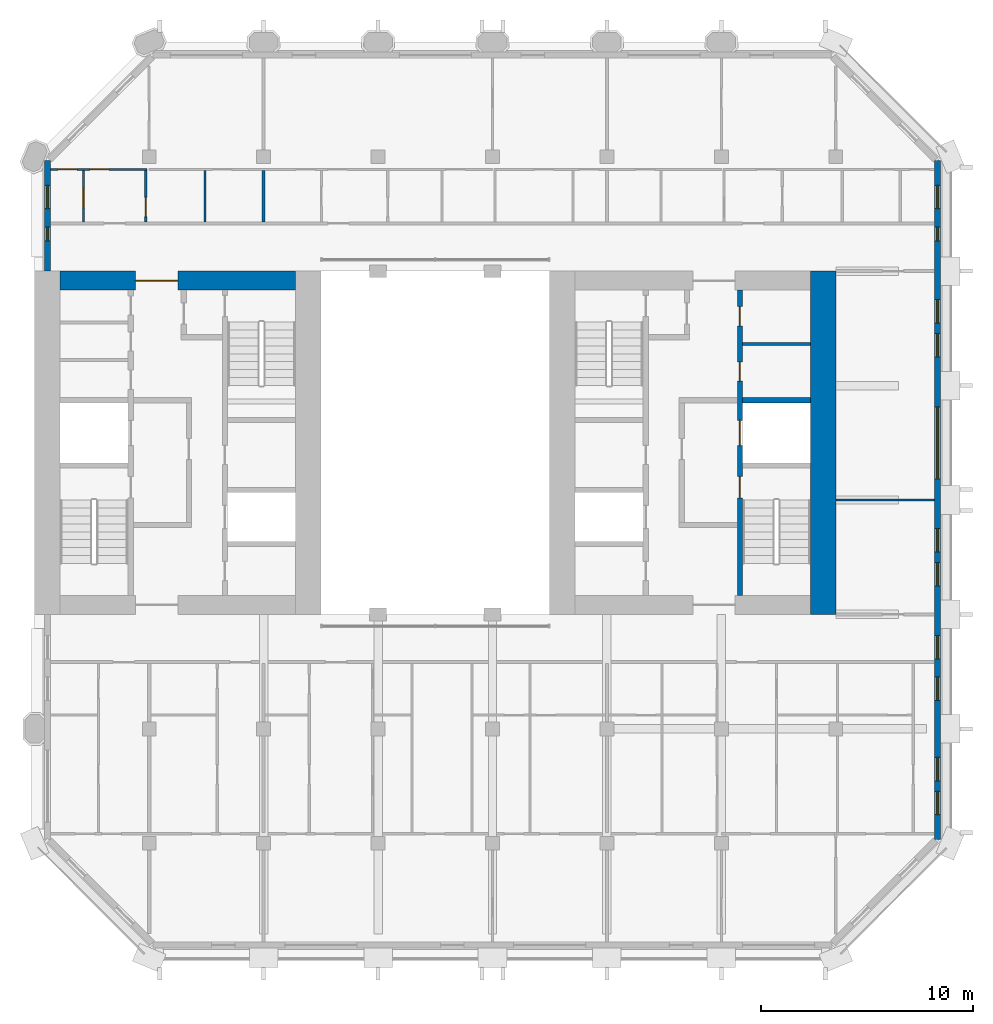
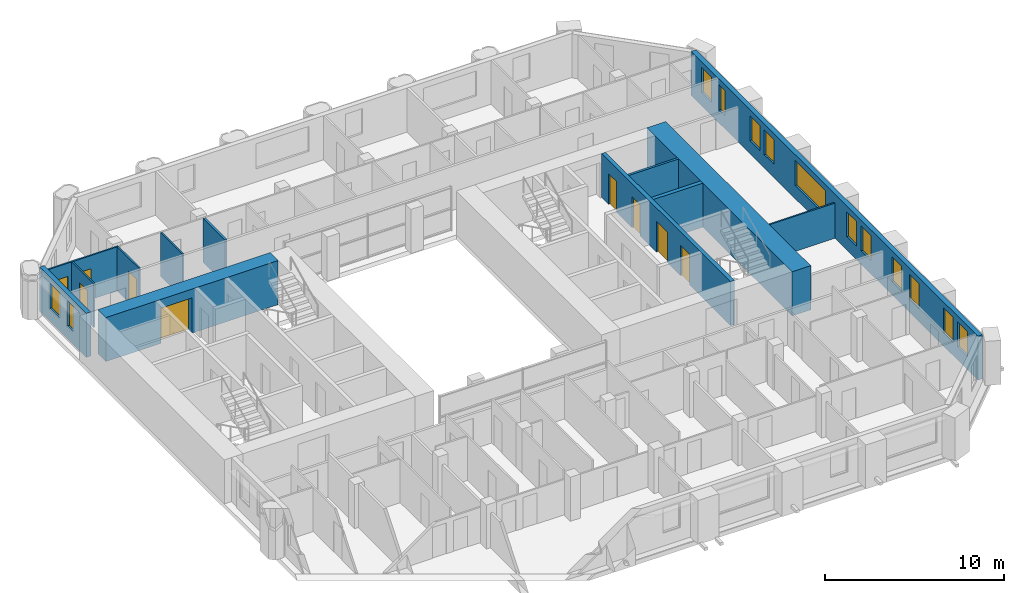
# One storey, part 9 of 14: 13 walls, 13 windows, 9 doors, 22 openings.
"""IFC4 building model written with IfcOpenShell, lengths in metres."""

import ifcopenshell
import ifcopenshell.guid

model = None  # the IFC model being written
_history = None  # IfcOwnerHistory: only IFC2X3 demands one
_inside = {}  # id of a spatial element -> (the spatial element, [elements in it])
_under = {}  # id of a project, library or spatial element -> (it, [spatial elements below it])
_declared = {}  # id of a project -> (the project, [libraries it declares])
_typed = {}  # id of a type object -> (the type object, [elements of that type])
_made_of = {}  # id of a material, layer set ... -> (it, [elements and type objects made of it])


def new_model(schema):
    """Start an empty IFC model of exactly this schema.

    Asked for "IFC4X3", IfcOpenShell would pick the latest addendum, in which some entities
    have other attributes; the version numbers below select the first issue.
    IFC2X3 requires an IfcOwnerHistory on every rooted entity: one is made here for all.
    """
    global model, _history
    if schema == "IFC4X3":
        model = ifcopenshell.file(schema_version=(4, 3, 0, 0))
    else:
        model = ifcopenshell.file(schema=schema)
    _inside.clear()
    _under.clear()
    _declared.clear()
    _typed.clear()
    _made_of.clear()
    _history = None
    if model.schema == "IFC2X3":
        org = make("IfcOrganization", Name="unknown")
        user = make(
            "IfcPersonAndOrganization",
            ThePerson=make("IfcPerson", FamilyName="unknown"),
            TheOrganization=org,
        )
        app = make(
            "IfcApplication",
            ApplicationDeveloper=org,
            Version="unknown",
            ApplicationFullName="unknown",
            ApplicationIdentifier="unknown",
        )
        _history = make(
            "IfcOwnerHistory",
            OwningUser=user,
            OwningApplication=app,
            ChangeAction="ADDED",
            CreationDate=0,
        )
    return model


def make(cls, **values):
    """One entity of the class cls with the attributes given. An attribute that is None is left unset."""
    return model.create_entity(
        cls, **{name: value for name, value in values.items() if value is not None}
    )


def rooted(cls, **values):
    """An entity with a GlobalId (a new one), such as an element, a storey or a relation."""
    return make(cls, GlobalId=ifcopenshell.guid.new(), OwnerHistory=_history, **values)


def si_unit(unit_type, name, prefix=None):
    """IfcSIUnit, for example si_unit("LENGTHUNIT", "METRE", prefix="MILLI")."""
    return make("IfcSIUnit", UnitType=unit_type, Prefix=prefix, Name=name)


def assignment(units):
    """IfcUnitAssignment: the units of a project."""
    return None if units is None else make("IfcUnitAssignment", Units=units)


def point(xyz):
    """IfcCartesianPoint."""
    return None if xyz is None else make("IfcCartesianPoint", Coordinates=xyz)


def direction(xyz):
    """IfcDirection."""
    return None if xyz is None else make("IfcDirection", DirectionRatios=xyz)


def frame(location, z_axis=None, x_axis=None):
    """IfcAxis2Placement3D, a coordinate frame: its origin and axes. An axis left out is left unset."""
    return make(
        "IfcAxis2Placement3D",
        Location=point(location),
        Axis=direction(z_axis),
        RefDirection=direction(x_axis),
    )


def frame_2d(location, x_axis=None):
    """IfcAxis2Placement2D, a coordinate frame in the plane: its origin and x axis."""
    return make(
        "IfcAxis2Placement2D", Location=point(location), RefDirection=direction(x_axis)
    )


def origin():
    """The frame at (0, 0, 0) with its axes left unset."""
    return frame((0.0, 0.0, 0.0))


def place(relative_to, where):
    """IfcLocalPlacement: puts the frame where relative to a parent placement (None: the world)."""
    return make(
        "IfcLocalPlacement", PlacementRelTo=relative_to, RelativePlacement=where
    )


def context(
    kind, dimensions, precision=None, world=None, true_north=None, identifier=None
):
    """IfcGeometricRepresentationContext, for example the 3D "Model" context."""
    return make(
        "IfcGeometricRepresentationContext",
        ContextIdentifier=identifier,
        ContextType=kind,
        CoordinateSpaceDimension=dimensions,
        Precision=precision,
        WorldCoordinateSystem=world,
        TrueNorth=true_north,
    )


def subcontext(parent, identifier, kind, view, scale=None):
    """IfcGeometricRepresentationSubContext, for example "Body" below "Model"."""
    return make(
        "IfcGeometricRepresentationSubContext",
        ContextIdentifier=identifier,
        ContextType=kind,
        ParentContext=parent,
        TargetScale=scale,
        TargetView=view,
    )


def project(units=None, contexts=None):
    """IfcProject with its units and contexts."""
    return rooted(
        "IfcProject",
        Name="project",
        RepresentationContexts=contexts,
        UnitsInContext=assignment(units),
    )


def spatial(cls, under=None, at=None, **own):
    """A site, building, storey or space (cls), placed at a placement, below another one or the project."""
    s = rooted(cls, ObjectPlacement=at, **own)
    if under is not None:
        _under.setdefault(under.id(), (under, []))[1].append(s)
    return s


def profile(cls, at=None, kind="AREA", **sizes):
    """A parametric profile (cls). Its sizes go by their IFC names, for example OverallWidth=200.0."""
    return make(cls, ProfileType=kind, Position=at, **sizes)


def rectangle(**sizes):
    """IfcRectangleProfileDef."""
    return profile("IfcRectangleProfileDef", **sizes)


def extrude(swept, where, along, depth):
    """IfcExtrudedAreaSolid: the profile swept, set in the frame where, extruded along a direction by depth."""
    return make(
        "IfcExtrudedAreaSolid",
        SweptArea=swept,
        Position=where,
        ExtrudedDirection=direction(along),
        Depth=depth,
    )


def shape(context_of_items, identifier, shape_type, items):
    """IfcShapeRepresentation: the items that make up one representation, for example the "Body"."""
    return make(
        "IfcShapeRepresentation",
        ContextOfItems=context_of_items,
        RepresentationIdentifier=identifier,
        RepresentationType=shape_type,
        Items=items,
    )


def material(Name=None, Category=None):
    """IfcMaterial."""
    return make("IfcMaterial", Name=Name, Category=Category)


def layer(
    of_material, thickness, ventilated=None, Name=None, Category=None, Priority=None
):
    """IfcMaterialLayer: one layer of a wall or slab, of a material (None: an air gap)."""
    return make(
        "IfcMaterialLayer",
        Material=of_material,
        LayerThickness=thickness,
        IsVentilated=ventilated,
        Name=Name,
        Category=Category,
        Priority=Priority,
    )


def layer_set(layers, Name=None):
    """IfcMaterialLayerSet."""
    return make("IfcMaterialLayerSet", MaterialLayers=layers, LayerSetName=Name)


def made_of(thing, what):
    """Note that an element or type object is made of a material, layer set ...; save() writes the relation."""
    if what is not None:
        _made_of.setdefault(what.id(), (what, []))[1].append(thing)
    return thing


def type_object(cls, material=None, **own):
    """A type object (cls), such as IfcWallType, which elements share."""
    return made_of(rooted(cls, **own), material)


def element(
    cls,
    number,
    at=None,
    inside=None,
    cuts=None,
    type_object=None,
    material=None,
    context=None,
    identifier="Body",
    shape_type=None,
    held_by="IfcProductDefinitionShape",
    body=None,
    shapes=None,
    **own,
):
    """One element of the class cls, such as IfcWall. Its Tag is "e" and its number.

    at: its placement. inside: the storey or other place that contains it. cuts: it is an
    opening in that element (IfcRelVoidsElement). A single representation is given by context,
    identifier, shape_type and body (its items); several are given by shapes. held_by: the class
    of the entity that holds the representations. save() writes the other relations.
    """
    e = rooted(cls, Tag="e%d" % number, ObjectPlacement=at, **own)
    if body is not None:
        shapes = [shape(context, identifier, shape_type, body)]
    if shapes is not None:
        e.Representation = make(held_by, Representations=shapes)
    if inside is not None:
        _inside.setdefault(inside.id(), (inside, []))[1].append(e)
    if cuts is not None:
        rooted(
            "IfcRelVoidsElement", RelatingBuildingElement=cuts, RelatedOpeningElement=e
        )
    if type_object is not None:
        _typed.setdefault(type_object.id(), (type_object, []))[1].append(e)
    return made_of(e, material)


def fill(opening, filler):
    """IfcRelFillsElement: the door or window that sits in an opening."""
    return rooted(
        "IfcRelFillsElement",
        RelatingOpeningElement=opening,
        RelatedBuildingElement=filler,
    )


def aggregate(whole, parts):
    """IfcRelAggregates: a whole, such as a stair, and the parts it consists of."""
    return rooted("IfcRelAggregates", RelatingObject=whole, RelatedObjects=parts)


def save(model, path):
    """Write the relations noted so far, then the file.

    IfcRelAggregates (storeys below a building ...), IfcRelContainedInSpatialStructure (elements
    in a storey), IfcRelDefinesByType, IfcRelAssociatesMaterial and IfcRelDeclares: one each for
    every whole, place, type object, material and project.
    """
    for whole, parts in _under.values():
        aggregate(whole, parts)
    for where, things in _inside.values():
        rooted(
            "IfcRelContainedInSpatialStructure",
            RelatedElements=things,
            RelatingStructure=where,
        )
    for kind, things in _typed.values():
        rooted("IfcRelDefinesByType", RelatedObjects=things, RelatingType=kind)
    for what, things in _made_of.values():
        rooted("IfcRelAssociatesMaterial", RelatedObjects=things, RelatingMaterial=what)
    for by, libraries in _declared.values():
        rooted("IfcRelDeclares", RelatingContext=by, RelatedDefinitions=libraries)
    model.write(path)


model = new_model("IFC4")

# Units and contexts
model_context = context("Model", 3, precision=1e-05, world=origin(), true_north=direction((0.0, 1.0)))
body_context = subcontext(model_context, "Body", "Model", "MODEL_VIEW")
ifc_project = project(units=[si_unit("LENGTHUNIT", "METRE"), si_unit("AREAUNIT", "SQUARE_METRE"), si_unit("VOLUMEUNIT", "CUBIC_METRE"), si_unit("PLANEANGLEUNIT", "RADIAN"), si_unit("MASSUNIT", "GRAM", prefix="KILO")], contexts=[model_context])

# Site, building, storey
site_placement = place(None, origin())
site = spatial("IfcSite", under=ifc_project, at=site_placement, CompositionType="ELEMENT")
building_placement = place(site_placement, origin())
building = spatial("IfcBuilding", under=site, at=building_placement, Name="Tabaq Tower and Sports Hall", CompositionType="ELEMENT")
storey_placement = place(building_placement, frame((0.0, 0.0, 281.800048828125)))
storey = spatial("IfcBuildingStorey", under=building, at=storey_placement, Name="L69", CompositionType="ELEMENT", Elevation=281.800048828125)

# Walls
ifc_material_1 = material(Name="Blockwork", Category="masonry")
ifc_layer_1 = layer(ifc_material_1, 0.14990234375)
ifc_layer_set_1 = layer_set([ifc_layer_1], Name="Core room partition 150 Blockwork")
wall_type_1 = type_object("IfcWallType", Name="Core room partition 150 Blockwork", PredefinedType="PARTITIONING", material=ifc_layer_set_1)
wall_1_placement = place(storey_placement, frame((38.800048828125, 28.962890625, 0.0), z_axis=(0.0, 0.0, 1.0), x_axis=(1.0, 0.0, 0.0)))
element("IfcWall", 1, at=wall_1_placement, inside=storey, type_object=wall_type_1, Name="Core room partition E L69", PredefinedType="PARTITIONING", context=body_context, shape_type="SweptSolid", body=[
    extrude(rectangle(XDim=3.199951171875, YDim=0.14990234375, at=frame_2d((1.60009765625, 0.0))), origin(), (0.0, 0.0, 1.0), 3.0),
])
ifc_material_2 = material(Name="Concrete C40/50", Category="concrete")
ifc_layer_2 = layer(ifc_material_2, 1.199951171875)
ifc_layer_set_2 = layer_set([ifc_layer_2], Name="Core wall 1200 Concrete C40/50")
wall_type_2 = type_object("IfcWallType", Name="Core wall 1200 Concrete C40/50", PredefinedType="SOLIDWALL", material=ifc_layer_set_2)
wall_2_placement = place(storey_placement, frame((42.60009765625, 32.39990234375, 0.0), z_axis=(0.0, 0.0, 1.0), x_axis=(0.0, -1.0, 0.0)))
element("IfcWall", 2, at=wall_2_placement, inside=storey, type_object=wall_type_2, Name="Core wall E L69", PredefinedType="SOLIDWALL", context=body_context, shape_type="SweptSolid", body=[
    extrude(rectangle(XDim=16.199951171875, YDim=1.199951171875, at=frame_2d((8.10009765625, 0.0))), origin(), (0.0, 0.0, 1.0), 3.0),
])

# Wall, opening, door
ifc_material_3 = material(Name="Concrete C40/50", Category="concrete")
ifc_layer_3 = layer(ifc_material_3, 0.89990234375)
ifc_layer_set_3 = layer_set([ifc_layer_3], Name="Core wall 900 Concrete C40/50")
wall_type_3 = type_object("IfcWallType", Name="Core wall 900 Concrete C40/50", PredefinedType="SOLIDWALL", material=ifc_layer_set_3)
wall_3_placement = place(storey_placement, frame((6.60009765625, 31.949951171875, 0.0), z_axis=(0.0, 0.0, 1.0), x_axis=(1.0, 0.0, 0.0)))
wall_3 = element("IfcWall", 3, at=wall_3_placement, inside=storey, type_object=wall_type_3, Name="Core wall W L69", PredefinedType="SOLIDWALL", context=body_context, shape_type="SweptSolid", body=[
    extrude(rectangle(XDim=11.099853515625, YDim=0.89990234375, at=frame_2d((5.5498046875, 0.0))), origin(), (0.0, 0.0, 1.0), 3.0),
])
opening_1_placement = place(wall_3_placement, frame((3.550048828125, 0.0, 0.0)))
opening_1 = element("IfcOpeningElement", 4, at=opening_1_placement, cuts=wall_3, Name="Opening PD-WL69-02", PredefinedType="OPENING", context=body_context, shape_type="SweptSolid", body=[
    extrude(rectangle(XDim=2.0, YDim=2.39990234375, at=frame_2d((1.0, 1.199951171875))), frame((0.0, 0.449951171875, 0.0), z_axis=(0.0, -1.0, 0.0), x_axis=(1.0, 0.0, 0.0)), (0.0, 0.0, 1.0), 0.89990234375),
])
ifc_material_4 = material(Name="Steel fire door", Category="steel")
door_type_1 = type_object("IfcDoorType", Name="Core entrance door 2000", OperationType="DOUBLE_DOOR_SINGLE_SWING", PredefinedType="DOOR", material=ifc_material_4)
door_1_placement = place(opening_1_placement, origin())
door_1 = element("IfcDoor", 5, at=door_1_placement, inside=storey, type_object=door_type_1, Name="Core entrance north W L69", OperationType="DOUBLE_DOOR_SINGLE_SWING", OverallHeight=2.39990234375, OverallWidth=2.0, PredefinedType="DOOR", context=body_context, shape_type="SweptSolid", body=[
    extrude(rectangle(XDim=2.0, YDim=2.39990234375, at=frame_2d((1.0, 1.199951171875))), frame((0.0, 0.02490234375, 0.0), z_axis=(0.0, -1.0, 0.0), x_axis=(1.0, 0.0, 0.0)), (0.0, 0.0, 1.0), 0.050048828125),
])
fill(opening_1, door_1)

# Wall, openings, doors
ifc_material_5 = material(Name="Gypsum board on steel studs", Category="steel")
ifc_layer_4 = layer(ifc_material_5, 0.10009765625)
ifc_layer_set_4 = layer_set([ifc_layer_4], Name="Partition 100 Gypsum board")
wall_type_4 = type_object("IfcWallType", Name="Partition 100 Gypsum board", PredefinedType="PARTITIONING", material=ifc_layer_set_4)
wall_4_placement = place(storey_placement, frame((6.15087890625, 37.199951171875, 0.0), z_axis=(0.0, 0.0, 1.0), x_axis=(1.0, 0.0, 0.0)))
wall_4 = element("IfcWall", 6, at=wall_4_placement, inside=storey, type_object=wall_type_4, Name="Partition wall L69", PredefinedType="PARTITIONING", context=body_context, shape_type="SweptSolid", body=[
    extrude(rectangle(XDim=4.5390625, YDim=0.10009765625, at=frame_2d((2.26953125, 0.0))), origin(), (0.0, 0.0, 1.0), 3.0),
])
opening_2_placement = place(wall_4_placement, frame((0.34912109375, 0.0, 0.0)))
opening_2 = element("IfcOpeningElement", 7, at=opening_2_placement, cuts=wall_4, Name="Opening L69-029", PredefinedType="OPENING", context=body_context, shape_type="SweptSolid", body=[
    extrude(rectangle(XDim=0.89990234375, YDim=2.10009765625, at=frame_2d((0.449951171875, 1.050048828125))), frame((0.0, 0.050048828125, 0.0), z_axis=(0.0, -1.0, 0.0), x_axis=(1.0, 0.0, 0.0)), (0.0, 0.0, 1.0), 0.10009765625),
])
opening_3_placement = place(wall_4_placement, frame((1.84912109375, 0.0, 0.0)))
opening_3 = element("IfcOpeningElement", 8, at=opening_3_placement, cuts=wall_4, Name="Opening L69-047", PredefinedType="OPENING", context=body_context, shape_type="SweptSolid", body=[
    extrude(rectangle(XDim=0.89990234375, YDim=2.10009765625, at=frame_2d((0.449951171875, 1.050048828125))), frame((0.0, 0.050048828125, 0.0), z_axis=(0.0, -1.0, 0.0), x_axis=(1.0, 0.0, 0.0)), (0.0, 0.0, 1.0), 0.10009765625),
])
ifc_material_6 = material(Name="Timber leaf in steel frame", Category="steel")
door_type_2 = type_object("IfcDoorType", Name="Internal door 900 left hand", OperationType="SINGLE_SWING_LEFT", PredefinedType="DOOR", material=ifc_material_6)
door_2_placement = place(opening_2_placement, origin())
door_2 = element("IfcDoor", 9, at=door_2_placement, inside=storey, type_object=door_type_2, Name="Internal door L69-029", OperationType="SINGLE_SWING_LEFT", OverallHeight=2.10009765625, OverallWidth=0.89990234375, PredefinedType="DOOR", context=body_context, shape_type="SweptSolid", body=[
    extrude(rectangle(XDim=0.89990234375, YDim=2.10009765625, at=frame_2d((0.449951171875, 1.050048828125))), frame((0.0, 0.02490234375, 0.0), z_axis=(0.0, -1.0, 0.0), x_axis=(1.0, 0.0, 0.0)), (0.0, 0.0, 1.0), 0.050048828125),
])
fill(opening_2, door_2)
ifc_material_7 = material(Name="Timber leaf in steel frame", Category="steel")
door_type_3 = type_object("IfcDoorType", Name="Internal door 900 right hand", OperationType="SINGLE_SWING_RIGHT", PredefinedType="DOOR", material=ifc_material_7)
door_3_placement = place(opening_3_placement, origin())
door_3 = element("IfcDoor", 10, at=door_3_placement, inside=storey, type_object=door_type_3, Name="Internal door L69-047", OperationType="SINGLE_SWING_RIGHT", OverallHeight=2.10009765625, OverallWidth=0.89990234375, PredefinedType="DOOR", context=body_context, shape_type="SweptSolid", body=[
    extrude(rectangle(XDim=0.89990234375, YDim=2.10009765625, at=frame_2d((0.449951171875, 1.050048828125))), frame((0.0, 0.02490234375, 0.0), z_axis=(0.0, -1.0, 0.0), x_axis=(1.0, 0.0, 0.0)), (0.0, 0.0, 1.0), 0.050048828125),
])
fill(opening_3, door_3)

# Wall, opening, door
wall_5_placement = place(storey_placement, frame((7.699951171875, 34.72509765625, 0.0), z_axis=(0.0, 0.0, 1.0), x_axis=(0.0, 1.0, 0.0)))
wall_5 = element("IfcWall", 11, at=wall_5_placement, inside=storey, type_object=wall_type_4, Name="Partition wall L69", PredefinedType="PARTITIONING", context=body_context, shape_type="SweptSolid", body=[
    extrude(rectangle(XDim=2.4248046875, YDim=0.10009765625, at=frame_2d((1.21240234375, 0.0))), origin(), (0.0, 0.0, 1.0), 3.0),
])
opening_4_placement = place(wall_5_placement, frame((0.662109375, 0.0, 0.0)))
opening_4 = element("IfcOpeningElement", 12, at=opening_4_placement, cuts=wall_5, Name="Opening L69-030", PredefinedType="OPENING", context=body_context, shape_type="SweptSolid", body=[
    extrude(rectangle(XDim=0.89990234375, YDim=2.10009765625, at=frame_2d((0.449951171875, 1.050048828125))), frame((0.0, 0.050048828125, 0.0), z_axis=(0.0, -1.0, 0.0), x_axis=(1.0, 0.0, 0.0)), (0.0, 0.0, 1.0), 0.10009765625),
])
door_4_placement = place(opening_4_placement, origin())
door_4 = element("IfcDoor", 13, at=door_4_placement, inside=storey, type_object=door_type_2, Name="Internal door L69-030", OperationType="SINGLE_SWING_LEFT", OverallHeight=2.10009765625, OverallWidth=0.89990234375, PredefinedType="DOOR", context=body_context, shape_type="SweptSolid", body=[
    extrude(rectangle(XDim=0.89990234375, YDim=2.10009765625, at=frame_2d((0.449951171875, 1.050048828125))), frame((0.0, 0.02490234375, 0.0), z_axis=(0.0, -1.0, 0.0), x_axis=(1.0, 0.0, 0.0)), (0.0, 0.0, 1.0), 0.050048828125),
])
fill(opening_4, door_4)

wall_6_placement = place(storey_placement, frame((10.639892578125, 34.72509765625, 0.0), z_axis=(0.0, 0.0, 1.0), x_axis=(0.0, 1.0, 0.0)))
wall_6 = element("IfcWall", 14, at=wall_6_placement, inside=storey, type_object=wall_type_4, Name="Partition wall L69", PredefinedType="PARTITIONING", context=body_context, shape_type="SweptSolid", body=[
    extrude(rectangle(XDim=2.4248046875, YDim=0.10009765625, at=frame_2d((1.21240234375, 0.0))), origin(), (0.0, 0.0, 1.0), 3.0),
])
opening_5_placement = place(wall_6_placement, frame((0.25, 0.0, 0.0)))
opening_5 = element("IfcOpeningElement", 15, at=opening_5_placement, cuts=wall_6, Name="Opening L69-002", PredefinedType="OPENING", context=body_context, shape_type="SweptSolid", body=[
    extrude(rectangle(XDim=0.89990234375, YDim=2.10009765625, at=frame_2d((0.449951171875, 1.050048828125))), frame((0.0, 0.050048828125, 0.0), z_axis=(0.0, -1.0, 0.0), x_axis=(1.0, 0.0, 0.0)), (0.0, 0.0, 1.0), 0.10009765625),
])
door_5_placement = place(opening_5_placement, origin())
door_5 = element("IfcDoor", 16, at=door_5_placement, inside=storey, type_object=door_type_2, Name="Internal door L69-002", OperationType="SINGLE_SWING_LEFT", OverallHeight=2.10009765625, OverallWidth=0.89990234375, PredefinedType="DOOR", context=body_context, shape_type="SweptSolid", body=[
    extrude(rectangle(XDim=0.89990234375, YDim=2.10009765625, at=frame_2d((0.449951171875, 1.050048828125))), frame((0.0, 0.02490234375, 0.0), z_axis=(0.0, -1.0, 0.0), x_axis=(1.0, 0.0, 0.0)), (0.0, 0.0, 1.0), 0.050048828125),
])
fill(opening_5, door_5)

# Walls
wall_7_placement = place(storey_placement, frame((13.43994140625, 34.72509765625, 0.0), z_axis=(0.0, 0.0, 1.0), x_axis=(0.0, 1.0, 0.0)))
element("IfcWall", 17, at=wall_7_placement, inside=storey, type_object=wall_type_4, Name="Partition wall L69", PredefinedType="PARTITIONING", context=body_context, shape_type="SweptSolid", body=[
    extrude(rectangle(XDim=2.4248046875, YDim=0.10009765625, at=frame_2d((1.21240234375, 0.0))), origin(), (0.0, 0.0, 1.0), 3.0),
])
wall_8_placement = place(storey_placement, frame((43.199951171875, 21.60009765625, 0.0), z_axis=(0.0, 0.0, 1.0), x_axis=(1.0, 0.0, 0.0)))
element("IfcWall", 18, at=wall_8_placement, inside=storey, type_object=wall_type_4, Name="Partition wall L69", PredefinedType="PARTITIONING", context=body_context, shape_type="SweptSolid", body=[
    extrude(rectangle(XDim=4.649169921875, YDim=0.10009765625, at=frame_2d((2.32470703125, 0.0))), origin(), (0.0, 0.0, 1.0), 2.39990234375),
])
ifc_material_8 = material(Name="Blockwork", Category="masonry")
ifc_layer_5 = layer(ifc_material_8, 0.14990234375)
ifc_layer_set_5 = layer_set([ifc_layer_5], Name="Separating wall 150 Blockwork")
wall_type_5 = type_object("IfcWallType", Name="Separating wall 150 Blockwork", PredefinedType="PARTITIONING", material=ifc_layer_set_5)
wall_9_placement = place(storey_placement, frame((16.199951171875, 34.72509765625, 0.0), z_axis=(0.0, 0.0, 1.0), x_axis=(0.0, 1.0, 0.0)))
element("IfcWall", 19, at=wall_9_placement, inside=storey, type_object=wall_type_5, Name="Separating wall L69", PredefinedType="PARTITIONING", context=body_context, shape_type="SweptSolid", body=[
    extrude(rectangle(XDim=2.4248046875, YDim=0.14990234375, at=frame_2d((1.21240234375, 0.0))), origin(), (0.0, 0.0, 1.0), 3.0),
])

# Wall, openings, doors
ifc_material_9 = material(Name="Concrete C40/50", Category="concrete")
ifc_layer_6 = layer(ifc_material_9, 0.25)
ifc_layer_set_6 = layer_set([ifc_layer_6], Name="Shaft and stair wall 250 Concrete C40/50")
wall_type_6 = type_object("IfcWallType", Name="Shaft and stair wall 250 Concrete C40/50", PredefinedType="SOLIDWALL", material=ifc_layer_set_6)
wall_10_placement = place(storey_placement, frame((38.675048828125, 17.10009765625, 0.0), z_axis=(0.0, 0.0, 1.0), x_axis=(0.0, 1.0, 0.0)))
wall_10 = element("IfcWall", 20, at=wall_10_placement, inside=storey, type_object=wall_type_6, Name="Shaft wall E L69", PredefinedType="SOLIDWALL", context=body_context, shape_type="SweptSolid", body=[
    extrude(rectangle(XDim=14.39990234375, YDim=0.25, at=frame_2d((7.199951171875, 0.0))), origin(), (0.0, 0.0, 1.0), 3.0),
])
opening_6_placement = place(wall_10_placement, frame((4.60009765625, 0.0, 0.0)))
opening_6 = element("IfcOpeningElement", 21, at=opening_6_placement, cuts=wall_10, Name="Opening SD-EL69-03", PredefinedType="OPENING", context=body_context, shape_type="SweptSolid", body=[
    extrude(rectangle(XDim=1.0, YDim=2.10009765625, at=frame_2d((0.5, 1.050048828125))), frame((0.0, 0.125, 0.0), z_axis=(0.0, -1.0, 0.0), x_axis=(1.0, 0.0, 0.0)), (0.0, 0.0, 1.0), 0.25),
])
opening_7_placement = place(wall_10_placement, frame((7.0625, 0.0, 0.0)))
opening_7 = element("IfcOpeningElement", 22, at=opening_7_placement, cuts=wall_10, Name="Opening LD-FF2-L69", PredefinedType="OPENING", context=body_context, shape_type="SweptSolid", body=[
    extrude(rectangle(XDim=1.199951171875, YDim=2.10009765625, at=frame_2d((0.60009765625, 1.050048828125))), frame((0.0, 0.125, 0.0), z_axis=(0.0, -1.0, 0.0), x_axis=(1.0, 0.0, 0.0)), (0.0, 0.0, 1.0), 0.25),
])
opening_8_placement = place(wall_10_placement, frame((10.1064453125, 0.0, 0.0)))
opening_8 = element("IfcOpeningElement", 23, at=opening_8_placement, cuts=wall_10, Name="Opening RD-EL69-09", PredefinedType="OPENING", context=body_context, shape_type="SweptSolid", body=[
    extrude(rectangle(XDim=0.89990234375, YDim=2.10009765625, at=frame_2d((0.449951171875, 1.050048828125))), frame((0.0, 0.125, 0.0), z_axis=(0.0, -1.0, 0.0), x_axis=(1.0, 0.0, 0.0)), (0.0, 0.0, 1.0), 0.25),
])
opening_9_placement = place(wall_10_placement, frame((12.718994140625, 0.0, 0.0)))
opening_9 = element("IfcOpeningElement", 24, at=opening_9_placement, cuts=wall_10, Name="Opening RD-EL69-10", PredefinedType="OPENING", context=body_context, shape_type="SweptSolid", body=[
    extrude(rectangle(XDim=0.89990234375, YDim=2.10009765625, at=frame_2d((0.449951171875, 1.050048828125))), frame((0.0, 0.125, 0.0), z_axis=(0.0, -1.0, 0.0), x_axis=(1.0, 0.0, 0.0)), (0.0, 0.0, 1.0), 0.25),
])
ifc_material_10 = material(Name="Steel fire door", Category="steel")
door_type_4 = type_object("IfcDoorType", Name="Core room door 900", OperationType="SINGLE_SWING_LEFT", PredefinedType="DOOR", material=ifc_material_10)
door_6_placement = place(opening_8_placement, origin())
door_6 = element("IfcDoor", 25, at=door_6_placement, inside=storey, type_object=door_type_4, Name="Door Housekeeping Store E L69", OperationType="SINGLE_SWING_LEFT", OverallHeight=2.10009765625, OverallWidth=0.89990234375, PredefinedType="DOOR", context=body_context, shape_type="SweptSolid", body=[
    extrude(rectangle(XDim=0.89990234375, YDim=2.10009765625, at=frame_2d((0.449951171875, 1.050048828125))), frame((0.0, 0.02490234375, 0.0), z_axis=(0.0, -1.0, 0.0), x_axis=(1.0, 0.0, 0.0)), (0.0, 0.0, 1.0), 0.050048828125),
])
fill(opening_8, door_6)
door_7_placement = place(opening_9_placement, origin())
door_7 = element("IfcDoor", 26, at=door_7_placement, inside=storey, type_object=door_type_4, Name="Door Riser Room E L69", OperationType="SINGLE_SWING_LEFT", OverallHeight=2.10009765625, OverallWidth=0.89990234375, PredefinedType="DOOR", context=body_context, shape_type="SweptSolid", body=[
    extrude(rectangle(XDim=0.89990234375, YDim=2.10009765625, at=frame_2d((0.449951171875, 1.050048828125))), frame((0.0, 0.02490234375, 0.0), z_axis=(0.0, -1.0, 0.0), x_axis=(1.0, 0.0, 0.0)), (0.0, 0.0, 1.0), 0.050048828125),
])
fill(opening_9, door_7)
ifc_material_11 = material(Name="Stainless steel", Category="steel")
door_type_5 = type_object("IfcDoorType", Name="Lift landing door 1200", OperationType="DOUBLE_DOOR_SLIDING", PredefinedType="DOOR", material=ifc_material_11)
door_8_placement = place(opening_7_placement, origin())
door_8 = element("IfcDoor", 27, at=door_8_placement, inside=storey, type_object=door_type_5, Name="Lift landing door FF2 E L69", OperationType="DOUBLE_DOOR_SLIDING", OverallHeight=2.10009765625, OverallWidth=1.199951171875, PredefinedType="DOOR", context=body_context, shape_type="SweptSolid", body=[
    extrude(rectangle(XDim=1.199951171875, YDim=2.10009765625, at=frame_2d((0.60009765625, 1.050048828125))), frame((0.0, 0.02490234375, 0.0), z_axis=(0.0, -1.0, 0.0), x_axis=(1.0, 0.0, 0.0)), (0.0, 0.0, 1.0), 0.050048828125),
])
fill(opening_7, door_8)
ifc_material_12 = material(Name="Steel fire door", Category="steel")
door_type_6 = type_object("IfcDoorType", Name="Stair door 1000", OperationType="SINGLE_SWING_LEFT", PredefinedType="DOOR", material=ifc_material_12)
door_9_placement = place(opening_6_placement, origin())
door_9 = element("IfcDoor", 28, at=door_9_placement, inside=storey, type_object=door_type_6, Name="Stair door ST3 E L69", OperationType="SINGLE_SWING_LEFT", OverallHeight=2.10009765625, OverallWidth=1.0, PredefinedType="DOOR", context=body_context, shape_type="SweptSolid", body=[
    extrude(rectangle(XDim=1.0, YDim=2.10009765625, at=frame_2d((0.5, 1.050048828125))), frame((0.0, 0.02490234375, 0.0), z_axis=(0.0, -1.0, 0.0), x_axis=(1.0, 0.0, 0.0)), (0.0, 0.0, 1.0), 0.050048828125),
])
fill(opening_6, door_9)

# Wall
wall_11_placement = place(storey_placement, frame((38.800048828125, 26.300048828125, 0.0), z_axis=(0.0, 0.0, 1.0), x_axis=(1.0, 0.0, 0.0)))
element("IfcWall", 29, at=wall_11_placement, inside=storey, type_object=wall_type_6, Name="Shaft wall E L69", PredefinedType="SOLIDWALL", context=body_context, shape_type="SweptSolid", body=[
    extrude(rectangle(XDim=3.199951171875, YDim=0.25, at=frame_2d((1.60009765625, 0.0))), origin(), (0.0, 0.0, 1.0), 3.0),
])

# Wall, openings, windows
ifc_material_13 = material(Name="White precast concrete C60/75", Category="concrete")
ifc_layer_7 = layer(ifc_material_13, 0.300048828125)
ifc_layer_set_7 = layer_set([ifc_layer_7], Name="White precast concrete C60/75 external wall 300")
wall_type_7 = type_object("IfcWallType", Name="White precast concrete C60/75 external wall 300", PredefinedType="SOLIDWALL", material=ifc_layer_set_7)
wall_12_placement = place(storey_placement, frame((48.0, 5.58642578125, 0.0), z_axis=(0.0, 0.0, 1.0), x_axis=(0.0, 1.0, 0.0)))
wall_12 = element("IfcWall", 30, at=wall_12_placement, inside=storey, type_object=wall_type_7, Name="External Wall L69 E", PredefinedType="SOLIDWALL", context=body_context, shape_type="SweptSolid", body=[
    extrude(rectangle(XDim=32.027099609375, YDim=0.300048828125, at=frame_2d((16.013671875, 0.0))), origin(), (0.0, 0.0, 1.0), 3.0),
])
opening_10_placement = place(wall_12_placement, frame((1.16357421875, 0.0, 0.89990234375)))
opening_10 = element("IfcOpeningElement", 31, at=opening_10_placement, cuts=wall_12, Name="Opening W1B", PredefinedType="OPENING", context=body_context, shape_type="SweptSolid", body=[
    extrude(rectangle(XDim=1.10009765625, YDim=1.699951171875, at=frame_2d((0.550048828125, 0.85009765625))), frame((0.0, 0.16015625, 0.0), z_axis=(0.0, -1.0, 0.0), x_axis=(1.0, 0.0, 0.0)), (0.0, 0.0, 1.0), 0.320068359375),
])
opening_11_placement = place(wall_12_placement, frame((2.763671875, 0.0, 0.89990234375)))
opening_11 = element("IfcOpeningElement", 32, at=opening_11_placement, cuts=wall_12, Name="Opening W1B", PredefinedType="OPENING", context=body_context, shape_type="SweptSolid", body=[
    extrude(rectangle(XDim=1.10009765625, YDim=1.699951171875, at=frame_2d((0.550048828125, 0.85009765625))), frame((0.0, 0.16015625, 0.0), z_axis=(0.0, -1.0, 0.0), x_axis=(1.0, 0.0, 0.0)), (0.0, 0.0, 1.0), 0.320068359375),
])
opening_12_placement = place(wall_12_placement, frame((6.563720703125, 0.0, 0.89990234375)))
opening_12 = element("IfcOpeningElement", 33, at=opening_12_placement, cuts=wall_12, Name="Opening W1B", PredefinedType="OPENING", context=body_context, shape_type="SweptSolid", body=[
    extrude(rectangle(XDim=1.10009765625, YDim=1.699951171875, at=frame_2d((0.550048828125, 0.85009765625))), frame((0.0, 0.16015625, 0.0), z_axis=(0.0, -1.0, 0.0), x_axis=(1.0, 0.0, 0.0)), (0.0, 0.0, 1.0), 0.320068359375),
])
opening_13_placement = place(wall_12_placement, frame((8.513671875, 0.0, 0.89990234375)))
opening_13 = element("IfcOpeningElement", 34, at=opening_13_placement, cuts=wall_12, Name="Opening W1B", PredefinedType="OPENING", context=body_context, shape_type="SweptSolid", body=[
    extrude(rectangle(XDim=1.10009765625, YDim=1.699951171875, at=frame_2d((0.550048828125, 0.85009765625))), frame((0.0, 0.16015625, 0.0), z_axis=(0.0, -1.0, 0.0), x_axis=(1.0, 0.0, 0.0)), (0.0, 0.0, 1.0), 0.320068359375),
])
opening_14_placement = place(wall_12_placement, frame((11.963623046875, 0.0, 0.89990234375)))
opening_14 = element("IfcOpeningElement", 35, at=opening_14_placement, cuts=wall_12, Name="Opening W1B", PredefinedType="OPENING", context=body_context, shape_type="SweptSolid", body=[
    extrude(rectangle(XDim=1.10009765625, YDim=1.699951171875, at=frame_2d((0.550048828125, 0.85009765625))), frame((0.0, 0.16015625, 0.0), z_axis=(0.0, -1.0, 0.0), x_axis=(1.0, 0.0, 0.0)), (0.0, 0.0, 1.0), 0.320068359375),
])
opening_15_placement = place(wall_12_placement, frame((13.563720703125, 0.0, 0.89990234375)))
opening_15 = element("IfcOpeningElement", 36, at=opening_15_placement, cuts=wall_12, Name="Opening W1B", PredefinedType="OPENING", context=body_context, shape_type="SweptSolid", body=[
    extrude(rectangle(XDim=1.10009765625, YDim=1.699951171875, at=frame_2d((0.550048828125, 0.85009765625))), frame((0.0, 0.16015625, 0.0), z_axis=(0.0, -1.0, 0.0), x_axis=(1.0, 0.0, 0.0)), (0.0, 0.0, 1.0), 0.320068359375),
])
opening_16_placement = place(wall_12_placement, frame((17.013671875, 0.0, 0.89990234375)))
opening_16 = element("IfcOpeningElement", 37, at=opening_16_placement, cuts=wall_12, Name="Opening W1A", PredefinedType="OPENING", context=body_context, shape_type="SweptSolid", body=[
    extrude(rectangle(XDim=3.39990234375, YDim=1.699951171875, at=frame_2d((1.699951171875, 0.85009765625))), frame((0.0, 0.16015625, 0.0), z_axis=(0.0, -1.0, 0.0), x_axis=(1.0, 0.0, 0.0)), (0.0, 0.0, 1.0), 0.320068359375),
])
opening_17_placement = place(wall_12_placement, frame((22.763671875, 0.0, 0.89990234375)))
opening_17 = element("IfcOpeningElement", 38, at=opening_17_placement, cuts=wall_12, Name="Opening W1B", PredefinedType="OPENING", context=body_context, shape_type="SweptSolid", body=[
    extrude(rectangle(XDim=1.10009765625, YDim=1.699951171875, at=frame_2d((0.550048828125, 0.85009765625))), frame((0.0, 0.16015625, 0.0), z_axis=(0.0, -1.0, 0.0), x_axis=(1.0, 0.0, 0.0)), (0.0, 0.0, 1.0), 0.320068359375),
])
opening_18_placement = place(wall_12_placement, frame((24.363525390625, 0.0, 0.89990234375)))
opening_18 = element("IfcOpeningElement", 39, at=opening_18_placement, cuts=wall_12, Name="Opening W1B", PredefinedType="OPENING", context=body_context, shape_type="SweptSolid", body=[
    extrude(rectangle(XDim=1.10009765625, YDim=1.699951171875, at=frame_2d((0.550048828125, 0.85009765625))), frame((0.0, 0.16015625, 0.0), z_axis=(0.0, -1.0, 0.0), x_axis=(1.0, 0.0, 0.0)), (0.0, 0.0, 1.0), 0.320068359375),
])
opening_19_placement = place(wall_12_placement, frame((28.238525390625, 0.0, 0.89990234375)))
opening_19 = element("IfcOpeningElement", 40, at=opening_19_placement, cuts=wall_12, Name="Opening W1C", PredefinedType="OPENING", context=body_context, shape_type="SweptSolid", body=[
    extrude(rectangle(XDim=0.64990234375, YDim=1.699951171875, at=frame_2d((0.324951171875, 0.85009765625))), frame((0.0, 0.16015625, 0.0), z_axis=(0.0, -1.0, 0.0), x_axis=(1.0, 0.0, 0.0)), (0.0, 0.0, 1.0), 0.320068359375),
])
opening_20_placement = place(wall_12_placement, frame((29.763671875, 0.0, 0.89990234375)))
opening_20 = element("IfcOpeningElement", 41, at=opening_20_placement, cuts=wall_12, Name="Opening W1B", PredefinedType="OPENING", context=body_context, shape_type="SweptSolid", body=[
    extrude(rectangle(XDim=1.10009765625, YDim=1.699951171875, at=frame_2d((0.550048828125, 0.85009765625))), frame((0.0, 0.16015625, 0.0), z_axis=(0.0, -1.0, 0.0), x_axis=(1.0, 0.0, 0.0)), (0.0, 0.0, 1.0), 0.320068359375),
])
ifc_material_14 = material(Name="Aluminium framed clear glazing", Category="aluminium")
window_type_1 = type_object("IfcWindowType", Name="Window W1A", PartitioningType="SINGLE_PANEL", PredefinedType="WINDOW", material=ifc_material_14)
window_1_placement = place(opening_16_placement, origin())
window_1 = element("IfcWindow", 42, at=window_1_placement, inside=storey, type_object=window_type_1, Name="Window W1A L69", OverallHeight=1.699951171875, OverallWidth=3.39990234375, PartitioningType="SINGLE_PANEL", PredefinedType="WINDOW", context=body_context, shape_type="SweptSolid", body=[
    extrude(rectangle(XDim=3.39990234375, YDim=1.699951171875, at=frame_2d((1.699951171875, 0.85009765625))), frame((0.0, 0.030029296875, 0.0), z_axis=(0.0, -1.0, 0.0), x_axis=(1.0, 0.0, 0.0)), (0.0, 0.0, 1.0), 0.06005859375),
])
fill(opening_16, window_1)
ifc_material_15 = material(Name="Aluminium framed clear glazing", Category="aluminium")
window_type_2 = type_object("IfcWindowType", Name="Window W1B", PartitioningType="SINGLE_PANEL", PredefinedType="WINDOW", material=ifc_material_15)
window_2_placement = place(opening_10_placement, origin())
window_2 = element("IfcWindow", 43, at=window_2_placement, inside=storey, type_object=window_type_2, Name="Window W1B L69", OverallHeight=1.699951171875, OverallWidth=1.10009765625, PartitioningType="SINGLE_PANEL", PredefinedType="WINDOW", context=body_context, shape_type="SweptSolid", body=[
    extrude(rectangle(XDim=1.10009765625, YDim=1.699951171875, at=frame_2d((0.550048828125, 0.85009765625))), frame((0.0, 0.030029296875, 0.0), z_axis=(0.0, -1.0, 0.0), x_axis=(1.0, 0.0, 0.0)), (0.0, 0.0, 1.0), 0.06005859375),
])
fill(opening_10, window_2)
window_3_placement = place(opening_11_placement, origin())
window_3 = element("IfcWindow", 44, at=window_3_placement, inside=storey, type_object=window_type_2, Name="Window W1B L69", OverallHeight=1.699951171875, OverallWidth=1.10009765625, PartitioningType="SINGLE_PANEL", PredefinedType="WINDOW", context=body_context, shape_type="SweptSolid", body=[
    extrude(rectangle(XDim=1.10009765625, YDim=1.699951171875, at=frame_2d((0.550048828125, 0.85009765625))), frame((0.0, 0.030029296875, 0.0), z_axis=(0.0, -1.0, 0.0), x_axis=(1.0, 0.0, 0.0)), (0.0, 0.0, 1.0), 0.06005859375),
])
fill(opening_11, window_3)
window_4_placement = place(opening_12_placement, origin())
window_4 = element("IfcWindow", 45, at=window_4_placement, inside=storey, type_object=window_type_2, Name="Window W1B L69", OverallHeight=1.699951171875, OverallWidth=1.10009765625, PartitioningType="SINGLE_PANEL", PredefinedType="WINDOW", context=body_context, shape_type="SweptSolid", body=[
    extrude(rectangle(XDim=1.10009765625, YDim=1.699951171875, at=frame_2d((0.550048828125, 0.85009765625))), frame((0.0, 0.030029296875, 0.0), z_axis=(0.0, -1.0, 0.0), x_axis=(1.0, 0.0, 0.0)), (0.0, 0.0, 1.0), 0.06005859375),
])
fill(opening_12, window_4)
window_5_placement = place(opening_13_placement, origin())
window_5 = element("IfcWindow", 46, at=window_5_placement, inside=storey, type_object=window_type_2, Name="Window W1B L69", OverallHeight=1.699951171875, OverallWidth=1.10009765625, PartitioningType="SINGLE_PANEL", PredefinedType="WINDOW", context=body_context, shape_type="SweptSolid", body=[
    extrude(rectangle(XDim=1.10009765625, YDim=1.699951171875, at=frame_2d((0.550048828125, 0.85009765625))), frame((0.0, 0.030029296875, 0.0), z_axis=(0.0, -1.0, 0.0), x_axis=(1.0, 0.0, 0.0)), (0.0, 0.0, 1.0), 0.06005859375),
])
fill(opening_13, window_5)
window_6_placement = place(opening_14_placement, origin())
window_6 = element("IfcWindow", 47, at=window_6_placement, inside=storey, type_object=window_type_2, Name="Window W1B L69", OverallHeight=1.699951171875, OverallWidth=1.10009765625, PartitioningType="SINGLE_PANEL", PredefinedType="WINDOW", context=body_context, shape_type="SweptSolid", body=[
    extrude(rectangle(XDim=1.10009765625, YDim=1.699951171875, at=frame_2d((0.550048828125, 0.85009765625))), frame((0.0, 0.030029296875, 0.0), z_axis=(0.0, -1.0, 0.0), x_axis=(1.0, 0.0, 0.0)), (0.0, 0.0, 1.0), 0.06005859375),
])
fill(opening_14, window_6)
window_7_placement = place(opening_15_placement, origin())
window_7 = element("IfcWindow", 48, at=window_7_placement, inside=storey, type_object=window_type_2, Name="Window W1B L69", OverallHeight=1.699951171875, OverallWidth=1.10009765625, PartitioningType="SINGLE_PANEL", PredefinedType="WINDOW", context=body_context, shape_type="SweptSolid", body=[
    extrude(rectangle(XDim=1.10009765625, YDim=1.699951171875, at=frame_2d((0.550048828125, 0.85009765625))), frame((0.0, 0.030029296875, 0.0), z_axis=(0.0, -1.0, 0.0), x_axis=(1.0, 0.0, 0.0)), (0.0, 0.0, 1.0), 0.06005859375),
])
fill(opening_15, window_7)
window_8_placement = place(opening_17_placement, origin())
window_8 = element("IfcWindow", 49, at=window_8_placement, inside=storey, type_object=window_type_2, Name="Window W1B L69", OverallHeight=1.699951171875, OverallWidth=1.10009765625, PartitioningType="SINGLE_PANEL", PredefinedType="WINDOW", context=body_context, shape_type="SweptSolid", body=[
    extrude(rectangle(XDim=1.10009765625, YDim=1.699951171875, at=frame_2d((0.550048828125, 0.85009765625))), frame((0.0, 0.030029296875, 0.0), z_axis=(0.0, -1.0, 0.0), x_axis=(1.0, 0.0, 0.0)), (0.0, 0.0, 1.0), 0.06005859375),
])
fill(opening_17, window_8)
window_9_placement = place(opening_18_placement, origin())
window_9 = element("IfcWindow", 50, at=window_9_placement, inside=storey, type_object=window_type_2, Name="Window W1B L69", OverallHeight=1.699951171875, OverallWidth=1.10009765625, PartitioningType="SINGLE_PANEL", PredefinedType="WINDOW", context=body_context, shape_type="SweptSolid", body=[
    extrude(rectangle(XDim=1.10009765625, YDim=1.699951171875, at=frame_2d((0.550048828125, 0.85009765625))), frame((0.0, 0.030029296875, 0.0), z_axis=(0.0, -1.0, 0.0), x_axis=(1.0, 0.0, 0.0)), (0.0, 0.0, 1.0), 0.06005859375),
])
fill(opening_18, window_9)
window_10_placement = place(opening_20_placement, origin())
window_10 = element("IfcWindow", 51, at=window_10_placement, inside=storey, type_object=window_type_2, Name="Window W1B L69", OverallHeight=1.699951171875, OverallWidth=1.10009765625, PartitioningType="SINGLE_PANEL", PredefinedType="WINDOW", context=body_context, shape_type="SweptSolid", body=[
    extrude(rectangle(XDim=1.10009765625, YDim=1.699951171875, at=frame_2d((0.550048828125, 0.85009765625))), frame((0.0, 0.030029296875, 0.0), z_axis=(0.0, -1.0, 0.0), x_axis=(1.0, 0.0, 0.0)), (0.0, 0.0, 1.0), 0.06005859375),
])
fill(opening_20, window_10)
ifc_material_16 = material(Name="Aluminium framed clear glazing", Category="aluminium")
window_type_3 = type_object("IfcWindowType", Name="Window W1C", PartitioningType="SINGLE_PANEL", PredefinedType="WINDOW", material=ifc_material_16)
window_11_placement = place(opening_19_placement, origin())
window_11 = element("IfcWindow", 52, at=window_11_placement, inside=storey, type_object=window_type_3, Name="Window W1C L69", OverallHeight=1.699951171875, OverallWidth=0.64990234375, PartitioningType="SINGLE_PANEL", PredefinedType="WINDOW", context=body_context, shape_type="SweptSolid", body=[
    extrude(rectangle(XDim=0.64990234375, YDim=1.699951171875, at=frame_2d((0.324951171875, 0.85009765625))), frame((0.0, 0.030029296875, 0.0), z_axis=(0.0, -1.0, 0.0), x_axis=(1.0, 0.0, 0.0)), (0.0, 0.0, 1.0), 0.06005859375),
])
fill(opening_19, window_11)

wall_13_placement = place(storey_placement, frame((6.0, 37.613525390625, 0.0), z_axis=(0.0, 0.0, 1.0), x_axis=(0.0, -1.0, 0.0)))
wall_13 = element("IfcWall", 53, at=wall_13_placement, inside=storey, type_object=wall_type_7, Name="External Wall L69 W", PredefinedType="SOLIDWALL", context=body_context, shape_type="SweptSolid", body=[
    extrude(rectangle(XDim=5.213623046875, YDim=0.300048828125, at=frame_2d((2.60693359375, 0.0))), origin(), (0.0, 0.0, 1.0), 3.0),
])
opening_21_placement = place(wall_13_placement, frame((1.16357421875, 0.0, 0.89990234375)))
opening_21 = element("IfcOpeningElement", 54, at=opening_21_placement, cuts=wall_13, Name="Opening W1B", PredefinedType="OPENING", context=body_context, shape_type="SweptSolid", body=[
    extrude(rectangle(XDim=1.10009765625, YDim=1.699951171875, at=frame_2d((0.550048828125, 0.85009765625))), frame((0.0, 0.16015625, 0.0), z_axis=(0.0, -1.0, 0.0), x_axis=(1.0, 0.0, 0.0)), (0.0, 0.0, 1.0), 0.320068359375),
])
opening_22_placement = place(wall_13_placement, frame((3.138671875, 0.0, 0.89990234375)))
opening_22 = element("IfcOpeningElement", 55, at=opening_22_placement, cuts=wall_13, Name="Opening W1C", PredefinedType="OPENING", context=body_context, shape_type="SweptSolid", body=[
    extrude(rectangle(XDim=0.64990234375, YDim=1.699951171875, at=frame_2d((0.324951171875, 0.85009765625))), frame((0.0, 0.16015625, 0.0), z_axis=(0.0, -1.0, 0.0), x_axis=(1.0, 0.0, 0.0)), (0.0, 0.0, 1.0), 0.320068359375),
])
window_12_placement = place(opening_21_placement, origin())
window_12 = element("IfcWindow", 56, at=window_12_placement, inside=storey, type_object=window_type_2, Name="Window W1B L69", OverallHeight=1.699951171875, OverallWidth=1.10009765625, PartitioningType="SINGLE_PANEL", PredefinedType="WINDOW", context=body_context, shape_type="SweptSolid", body=[
    extrude(rectangle(XDim=1.10009765625, YDim=1.699951171875, at=frame_2d((0.550048828125, 0.85009765625))), frame((0.0, 0.030029296875, 0.0), z_axis=(0.0, -1.0, 0.0), x_axis=(1.0, 0.0, 0.0)), (0.0, 0.0, 1.0), 0.06005859375),
])
fill(opening_21, window_12)
window_13_placement = place(opening_22_placement, origin())
window_13 = element("IfcWindow", 57, at=window_13_placement, inside=storey, type_object=window_type_3, Name="Window W1C L69", OverallHeight=1.699951171875, OverallWidth=0.64990234375, PartitioningType="SINGLE_PANEL", PredefinedType="WINDOW", context=body_context, shape_type="SweptSolid", body=[
    extrude(rectangle(XDim=0.64990234375, YDim=1.699951171875, at=frame_2d((0.324951171875, 0.85009765625))), frame((0.0, 0.030029296875, 0.0), z_axis=(0.0, -1.0, 0.0), x_axis=(1.0, 0.0, 0.0)), (0.0, 0.0, 1.0), 0.06005859375),
])
fill(opening_22, window_13)

save(model, "model.ifc")
